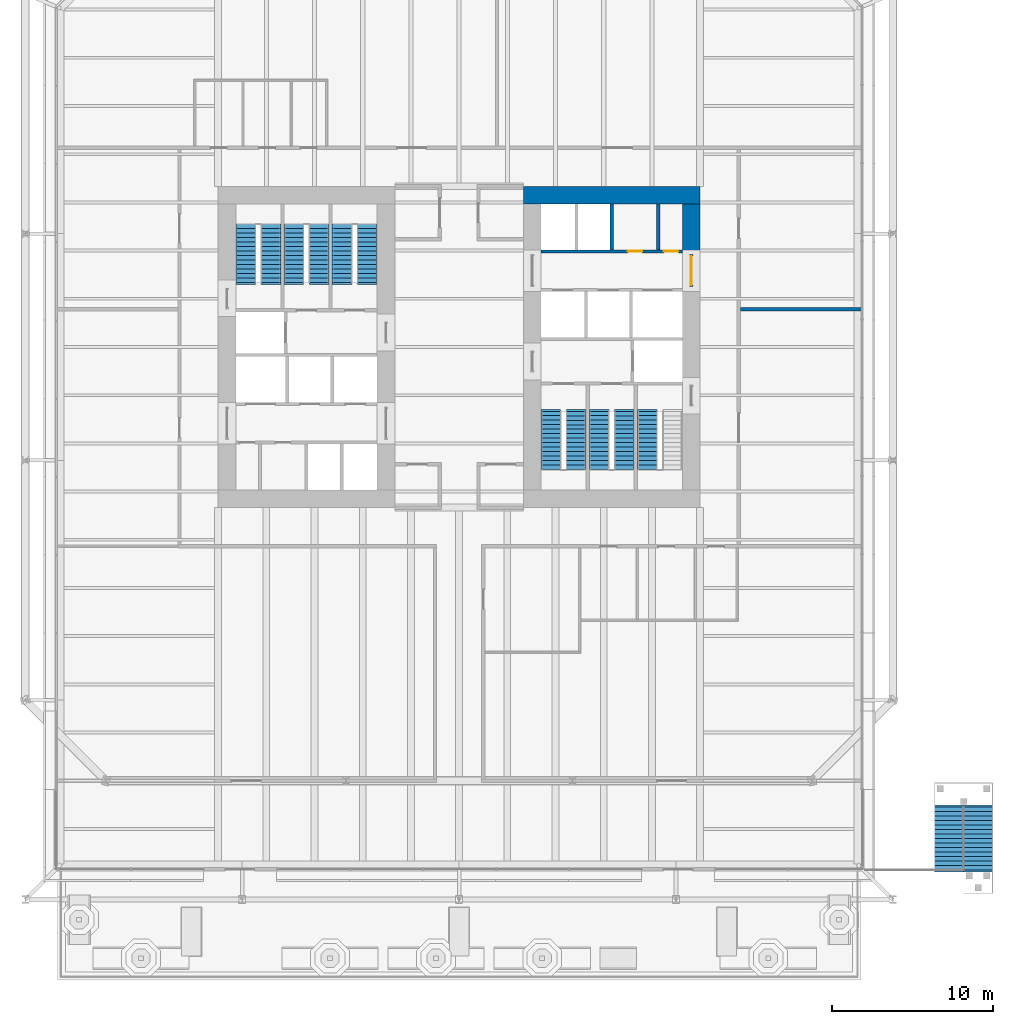
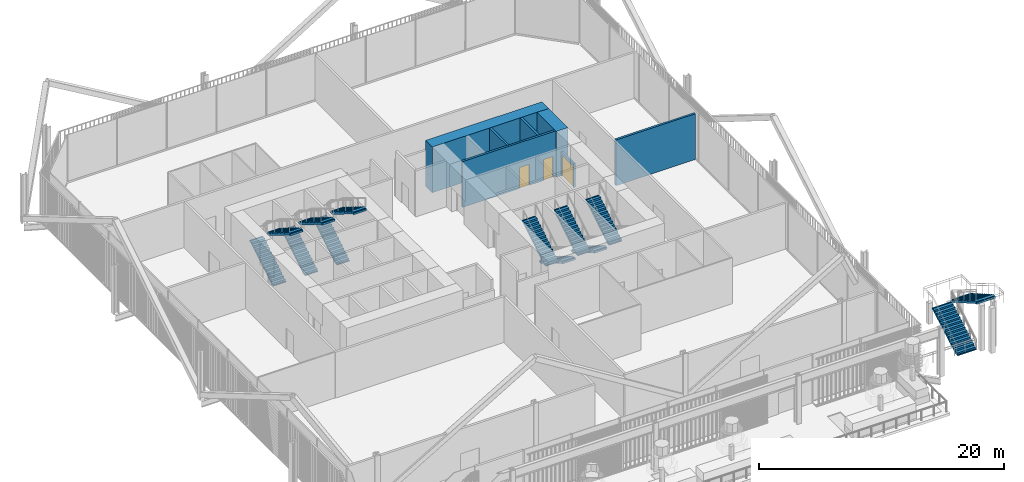
# One storey, part 22 of 26: 13 stair flights, 7 walls, 3 doors, 3 openings, 7 elements without a shape of their own.
"""IFC4 building model written with IfcOpenShell, lengths in metres."""

from ifc_helpers import new_model, si_unit, direction, frame, frame_2d, origin, place, context, subcontext, project, spatial, polyline, rectangle, outline, extrude, material, layer, layer_set, type_object, element, fill, aggregate, save


model = new_model("IFC4")

# Units and contexts
model_context = context("Model", 3, precision=1e-05, world=origin(), true_north=direction((0.0, 1.0)))
body_context = subcontext(model_context, "Body", "Model", "MODEL_VIEW")
ifc_project = project(units=[si_unit("LENGTHUNIT", "METRE"), si_unit("AREAUNIT", "SQUARE_METRE"), si_unit("VOLUMEUNIT", "CUBIC_METRE"), si_unit("PLANEANGLEUNIT", "RADIAN"), si_unit("MASSUNIT", "GRAM", prefix="KILO")], contexts=[model_context])

# Site, building, storey
site_placement = place(None, origin())
site = spatial("IfcSite", under=ifc_project, at=site_placement, CompositionType="ELEMENT")
building_placement = place(site_placement, origin())
building = spatial("IfcBuilding", under=site, at=building_placement, Name="Millrace Tower", CompositionType="ELEMENT")
storey_placement = place(building_placement, frame((0.0, 0.0, 11.300048828125)))
storey = spatial("IfcBuildingStorey", under=building, at=storey_placement, Name="L03", CompositionType="ELEMENT", Elevation=11.300048828125)

# Walls
ifc_material_1 = material(Name="Concrete C80", Category="concrete")
ifc_layer_1 = layer(ifc_material_1, 1.10009765625)
ifc_layer_set_1 = layer_set([ifc_layer_1], Name="Concrete C80")
wall_type_1 = type_object("IfcWallType", Name="Core wall 1100 Concrete C80", PredefinedType="SHEAR", material=ifc_layer_set_1)
wall_1_placement = place(storey_placement, frame((15.0, 9.449951171875, 0.0), z_axis=(0.0, 0.0, 1.0), x_axis=(-1.0, 0.0, 0.0)))
element("IfcWall", 1, at=wall_1_placement, inside=storey, type_object=wall_type_1, Name="Core wall E L03", PredefinedType="SHEAR", context=body_context, shape_type="SweptSolid", body=[
    extrude(rectangle(XDim=11.0, YDim=1.10009765625, at=frame_2d((5.5, 0.0))), origin(), (0.0, 0.0, 1.0), 4.574951171875),
])
wall_2_placement = place(storey_placement, frame((14.449951171875, 8.89990234375, 0.0), z_axis=(0.0, 0.0, 1.0), x_axis=(0.0, -1.0, 0.0)))
element("IfcWall", 2, at=wall_2_placement, inside=storey, type_object=wall_type_1, Name="Core wall E L03", PredefinedType="SHEAR", context=body_context, shape_type="SweptSolid", body=[
    extrude(rectangle(XDim=3.14990234375, YDim=1.10009765625, at=frame_2d((1.574951171875, 0.0))), origin(), (0.0, 0.0, 1.0), 4.574951171875),
])
ifc_material_2 = material(Name="Masonry partition, fire-rated", Category="masonry")
ifc_layer_2 = layer(ifc_material_2, 0.199951171875)
ifc_layer_set_2 = layer_set([ifc_layer_2], Name="Masonry partition, fire-rated")
wall_type_2 = type_object("IfcWallType", Name="Corridor wall 200", PredefinedType="PARTITIONING", material=ifc_layer_set_2)
wall_3_placement = place(storey_placement, frame((17.5, 2.35009765625, 0.0), z_axis=(0.0, 0.0, 1.0), x_axis=(1.0, 0.0, 0.0)))
element("IfcWall", 3, at=wall_3_placement, inside=storey, type_object=wall_type_2, Name="Corridor wall L03", PredefinedType="PARTITIONING", context=body_context, shape_type="SweptSolid", body=[
    extrude(rectangle(XDim=7.530029296875, YDim=0.199951171875, at=frame_2d((3.76513671875, 0.0))), origin(), (0.0, 0.0, 1.0), 4.574951171875),
])

# Wall, openings, doors
ifc_material_3 = material(Name="Masonry partition, fire-rated", Category="masonry")
ifc_layer_3 = layer(ifc_material_3, 0.199951171875)
ifc_layer_set_3 = layer_set([ifc_layer_3], Name="Masonry partition, fire-rated")
wall_type_3 = type_object("IfcWallType", Name="Lift shaft wall 200", PredefinedType="PARTITIONING", material=ifc_layer_set_3)
wall_4_placement = place(storey_placement, frame((13.89990234375, 5.949951171875, 0.0), z_axis=(0.0, 0.0, 1.0), x_axis=(-1.0, 0.0, 0.0)))
wall_4 = element("IfcWall", 4, at=wall_4_placement, inside=storey, type_object=wall_type_3, Name="Lift shaft wall E L03", PredefinedType="PARTITIONING", context=body_context, shape_type="SweptSolid", body=[
    extrude(rectangle(XDim=8.7998046875, YDim=0.199951171875, at=frame_2d((4.39990234375, 0.0))), origin(), (0.0, 0.0, 1.0), 4.574951171875),
])
opening_1_placement = place(wall_4_placement, frame((0.25244140625, 0.0, 0.0)))
opening_1 = element("IfcOpeningElement", 5, at=opening_1_placement, cuts=wall_4, Name="Opening 03-C013", PredefinedType="OPENING", context=body_context, shape_type="SweptSolid", body=[
    extrude(rectangle(XDim=0.89990234375, YDim=2.10009765625, at=frame_2d((0.449951171875, 1.050048828125))), frame((0.0, 0.10986328125, 0.0), z_axis=(0.0, -1.0, 0.0), x_axis=(1.0, 0.0, 0.0)), (0.0, 0.0, 1.0), 0.219970703125),
])
opening_2_placement = place(wall_4_placement, frame((2.50244140625, 0.0, 0.0)))
opening_2 = element("IfcOpeningElement", 6, at=opening_2_placement, cuts=wall_4, Name="Opening 03-C014", PredefinedType="OPENING", context=body_context, shape_type="SweptSolid", body=[
    extrude(rectangle(XDim=0.89990234375, YDim=2.10009765625, at=frame_2d((0.449951171875, 1.050048828125))), frame((0.0, 0.10986328125, 0.0), z_axis=(0.0, -1.0, 0.0), x_axis=(1.0, 0.0, 0.0)), (0.0, 0.0, 1.0), 0.219970703125),
])
ifc_material_4 = material(Name="Steel door, fire-rated", Category="steel")
door_type_1 = type_object("IfcDoorType", Name="Service room door 900 x 2100", OperationType="SINGLE_SWING_LEFT", PredefinedType="DOOR", material=ifc_material_4)
door_1_placement = place(opening_1_placement, frame((0.89990234375, 0.0, 0.0), z_axis=(0.0, 0.0, 1.0), x_axis=(-1.0, 0.0, 0.0)))
door_1 = element("IfcDoor", 7, at=door_1_placement, inside=storey, type_object=door_type_1, Name="Service room door 03-C013", OperationType="SINGLE_SWING_RIGHT", OverallHeight=2.10009765625, OverallWidth=0.89990234375, PredefinedType="DOOR", context=body_context, shape_type="SweptSolid", body=[
    extrude(rectangle(XDim=0.89990234375, YDim=2.10009765625, at=frame_2d((0.449951171875, 1.050048828125))), frame((0.0, 0.02490234375, 0.0), z_axis=(0.0, -1.0, 0.0), x_axis=(1.0, 0.0, 0.0)), (0.0, 0.0, 1.0), 0.050048828125),
])
fill(opening_1, door_1)
door_2_placement = place(opening_2_placement, frame((0.89990234375, 0.0, 0.0), z_axis=(0.0, 0.0, 1.0), x_axis=(-1.0, 0.0, 0.0)))
door_2 = element("IfcDoor", 8, at=door_2_placement, inside=storey, type_object=door_type_1, Name="Service room door 03-C014", OperationType="SINGLE_SWING_RIGHT", OverallHeight=2.10009765625, OverallWidth=0.89990234375, PredefinedType="DOOR", context=body_context, shape_type="SweptSolid", body=[
    extrude(rectangle(XDim=0.89990234375, YDim=2.10009765625, at=frame_2d((0.449951171875, 1.050048828125))), frame((0.0, 0.02490234375, 0.0), z_axis=(0.0, -1.0, 0.0), x_axis=(1.0, 0.0, 0.0)), (0.0, 0.0, 1.0), 0.050048828125),
])
fill(opening_2, door_2)

# Wall
wall_5_placement = place(storey_placement, frame((9.5, 8.89990234375, 0.0), z_axis=(0.0, 0.0, 1.0), x_axis=(0.0, -1.0, 0.0)))
element("IfcWall", 9, at=wall_5_placement, inside=storey, type_object=wall_type_3, Name="Lift shaft wall E L03", PredefinedType="PARTITIONING", context=body_context, shape_type="SweptSolid", body=[
    extrude(rectangle(XDim=2.849853515625, YDim=0.199951171875, at=frame_2d((1.4248046875, 0.0))), origin(), (0.0, 0.0, 1.0), 4.574951171875),
])

# Wall, opening, door
ifc_material_5 = material(Name="Masonry partition, fire-rated", Category="masonry")
ifc_layer_4 = layer(ifc_material_5, 0.199951171875)
ifc_layer_set_4 = layer_set([ifc_layer_4], Name="Masonry partition, fire-rated")
wall_type_4 = type_object("IfcWallType", Name="Lobby wall 200", PredefinedType="PARTITIONING", material=ifc_layer_set_4)
wall_6_placement = place(storey_placement, frame((14.449951171875, 5.75, 0.0), z_axis=(0.0, 0.0, 1.0), x_axis=(0.0, -1.0, 0.0)))
wall_6 = element("IfcWall", 10, at=wall_6_placement, inside=storey, type_object=wall_type_4, Name="Lobby wall E L03", PredefinedType="PARTITIONING", context=body_context, shape_type="SweptSolid", body=[
    extrude(rectangle(XDim=2.0, YDim=0.199951171875, at=frame_2d((1.0, 0.0))), origin(), (0.0, 0.0, 1.0), 2.39990234375),
])
opening_3_placement = place(wall_6_placement, frame((0.10009765625, 0.0, 0.0)))
opening_3 = element("IfcOpeningElement", 11, at=opening_3_placement, cuts=wall_6, Name="Opening 03-C009", PredefinedType="OPENING", context=body_context, shape_type="SweptSolid", body=[
    extrude(rectangle(XDim=1.800048828125, YDim=2.10009765625, at=frame_2d((0.89990234375, 1.050048828125))), frame((0.0, 0.10986328125, 0.0), z_axis=(0.0, -1.0, 0.0), x_axis=(1.0, 0.0, 0.0)), (0.0, 0.0, 1.0), 0.219970703125),
])
ifc_material_6 = material(Name="Steel door, fire-rated", Category="steel")
door_type_2 = type_object("IfcDoorType", Name="Lobby door 1800 x 2100", OperationType="DOUBLE_DOOR_SINGLE_SWING", PredefinedType="DOOR", material=ifc_material_6)
door_3_placement = place(opening_3_placement, origin())
door_3 = element("IfcDoor", 12, at=door_3_placement, inside=storey, type_object=door_type_2, Name="Lobby door 03-C009", OperationType="DOUBLE_DOOR_SINGLE_SWING", OverallHeight=2.10009765625, OverallWidth=1.800048828125, PredefinedType="DOOR", context=body_context, shape_type="SweptSolid", body=[
    extrude(rectangle(XDim=1.800048828125, YDim=2.10009765625, at=frame_2d((0.89990234375, 1.050048828125))), frame((0.0, 0.02490234375, 0.0), z_axis=(0.0, -1.0, 0.0), x_axis=(1.0, 0.0, 0.0)), (0.0, 0.0, 1.0), 0.050048828125),
])
fill(opening_3, door_3)

# Wall
ifc_material_7 = material(Name="Masonry partition, fire-rated", Category="masonry")
ifc_layer_5 = layer(ifc_material_7, 0.199951171875)
ifc_layer_set_5 = layer_set([ifc_layer_5], Name="Masonry partition, fire-rated")
wall_type_5 = type_object("IfcWallType", Name="Room partition 200", PredefinedType="PARTITIONING", material=ifc_layer_set_5)
wall_7_placement = place(storey_placement, frame((12.39501953125, 8.89990234375, 0.0), z_axis=(0.0, 0.0, 1.0), x_axis=(0.0, -1.0, 0.0)))
element("IfcWall", 13, at=wall_7_placement, inside=storey, type_object=wall_type_5, Name="Room partition E L03", PredefinedType="PARTITIONING", context=body_context, shape_type="SweptSolid", body=[
    extrude(rectangle(XDim=2.849853515625, YDim=0.199951171875, at=frame_2d((1.4248046875, 0.0))), origin(), (0.0, 0.0, 1.0), 4.574951171875),
])

# Stair, stair flights
ifc_material_8 = material(Name="Concrete C35", Category="concrete")
stair_type_1 = type_object("IfcStairType", Name="Exit stair", PredefinedType="HALF_TURN_STAIR", material=ifc_material_8)
placement = place(storey_placement, origin())
stair_1 = element("IfcStair", 14, at=placement, inside=storey, type_object=stair_type_1, Name="Stair 1 W L03", PredefinedType="HALF_TURN_STAIR")
ifc_material_9 = material(Name="Concrete C35", Category="concrete")
stair_flight_type_1 = type_object("IfcStairFlightType", Name="Exit stair flight", PredefinedType="STRAIGHT", material=ifc_material_9)
stair_flight_1_placement = place(storey_placement, frame((-13.2900390625, 4.0, 0.0), z_axis=(0.0, 0.0, 1.0), x_axis=(0.0, 1.0, 0.0)))
stair_flight_1 = element("IfcStairFlight", 15, at=stair_flight_1_placement, type_object=stair_flight_type_1, Name="ST12 flight 1", NumberOfRisers=14, NumberOfTreads=13, PredefinedType="STRAIGHT", RiserHeight=0.171428571, TreadLength=0.28, context=body_context, shape_type="SweptSolid", body=[
    extrude(outline(polyline([(-0.1201171875, -0.0400390625), (-0.1201171875, 0.0), (0.0, 0.0), (0.0, 0.17138671875), (0.280029296875, 0.17138671875), (0.280029296875, 0.3427734375), (0.56005859375, 0.3427734375), (0.56005859375, 0.514404296875), (0.840087890625, 0.514404296875), (0.840087890625, 0.685791015625), (1.1201171875, 0.685791015625), (1.1201171875, 0.857177734375), (1.39990234375, 0.857177734375), (1.39990234375, 1.028564453125), (1.679931640625, 1.028564453125), (1.679931640625, 1.199951171875), (1.9599609375, 1.199951171875), (1.9599609375, 1.371337890625), (2.239990234375, 1.371337890625), (2.239990234375, 1.54296875), (2.52001953125, 1.54296875), (2.52001953125, 1.71435546875), (2.800048828125, 1.71435546875), (2.800048828125, 1.8857421875), (3.080078125, 1.8857421875), (3.080078125, 2.05712890625), (3.360107421875, 2.05712890625), (3.360107421875, 2.228515625), (3.639892578125, 2.228515625), (3.639892578125, 2.24853515625), (3.760009765625, 2.24853515625), (3.760009765625, 2.052734375), (3.639892578125, 2.052734375), (0.287109375, 0.0), (0.287109375, -0.0400390625), (-0.1201171875, -0.0400390625)])), frame((0.0, 0.60986328125, 0.0), z_axis=(0.0, -1.0, 0.0), x_axis=(1.0, 0.0, 0.0)), (0.0, 0.0, 1.0), 1.219970703125),
])
stair_flight_2_placement = place(storey_placement, frame((-11.7099609375, 7.639892578125, 2.39990234375), z_axis=(0.0, 0.0, 1.0), x_axis=(0.0, -1.0, 0.0)))
stair_flight_2 = element("IfcStairFlight", 16, at=stair_flight_2_placement, type_object=stair_flight_type_1, Name="ST12 flight 2", NumberOfRisers=14, NumberOfTreads=13, PredefinedType="STRAIGHT", RiserHeight=0.171428571, TreadLength=0.28, context=body_context, shape_type="SweptSolid", body=[
    extrude(outline(polyline([(-0.1201171875, -0.0400390625), (-0.1201171875, 0.0), (0.0, 0.0), (0.0, 0.17138671875), (0.280029296875, 0.17138671875), (0.280029296875, 0.3427734375), (0.56005859375, 0.3427734375), (0.56005859375, 0.514404296875), (0.840087890625, 0.514404296875), (0.840087890625, 0.685791015625), (1.1201171875, 0.685791015625), (1.1201171875, 0.857177734375), (1.39990234375, 0.857177734375), (1.39990234375, 1.028564453125), (1.679931640625, 1.028564453125), (1.679931640625, 1.199951171875), (1.9599609375, 1.199951171875), (1.9599609375, 1.371337890625), (2.239990234375, 1.371337890625), (2.239990234375, 1.54296875), (2.52001953125, 1.54296875), (2.52001953125, 1.71435546875), (2.800048828125, 1.71435546875), (2.800048828125, 1.8857421875), (3.080078125, 1.8857421875), (3.080078125, 2.05712890625), (3.360107421875, 2.05712890625), (3.360107421875, 2.228515625), (3.639892578125, 2.228515625), (3.639892578125, 2.24853515625), (3.760009765625, 2.24853515625), (3.760009765625, 2.052734375), (3.639892578125, 2.052734375), (0.287109375, 0.0), (0.287109375, -0.0400390625), (-0.1201171875, -0.0400390625)])), frame((0.0, 0.60986328125, 0.0), z_axis=(0.0, -1.0, 0.0), x_axis=(1.0, 0.0, 0.0)), (0.0, 0.0, 1.0), 1.219970703125),
])
aggregate(stair_1, [stair_flight_1, stair_flight_2])

stair_2 = element("IfcStair", 17, at=placement, inside=storey, type_object=stair_type_1, Name="Stair 2 W L03", PredefinedType="HALF_TURN_STAIR")
stair_flight_3_placement = place(storey_placement, frame((-10.2900390625, 4.0, 0.0), z_axis=(0.0, 0.0, 1.0), x_axis=(0.0, 1.0, 0.0)))
stair_flight_3 = element("IfcStairFlight", 18, at=stair_flight_3_placement, type_object=stair_flight_type_1, Name="ST12 flight 1", NumberOfRisers=14, NumberOfTreads=13, PredefinedType="STRAIGHT", RiserHeight=0.171428571, TreadLength=0.28, context=body_context, shape_type="SweptSolid", body=[
    extrude(outline(polyline([(-0.1201171875, -0.0400390625), (-0.1201171875, 0.0), (0.0, 0.0), (0.0, 0.17138671875), (0.280029296875, 0.17138671875), (0.280029296875, 0.3427734375), (0.56005859375, 0.3427734375), (0.56005859375, 0.514404296875), (0.840087890625, 0.514404296875), (0.840087890625, 0.685791015625), (1.1201171875, 0.685791015625), (1.1201171875, 0.857177734375), (1.39990234375, 0.857177734375), (1.39990234375, 1.028564453125), (1.679931640625, 1.028564453125), (1.679931640625, 1.199951171875), (1.9599609375, 1.199951171875), (1.9599609375, 1.371337890625), (2.239990234375, 1.371337890625), (2.239990234375, 1.54296875), (2.52001953125, 1.54296875), (2.52001953125, 1.71435546875), (2.800048828125, 1.71435546875), (2.800048828125, 1.8857421875), (3.080078125, 1.8857421875), (3.080078125, 2.05712890625), (3.360107421875, 2.05712890625), (3.360107421875, 2.228515625), (3.639892578125, 2.228515625), (3.639892578125, 2.24853515625), (3.760009765625, 2.24853515625), (3.760009765625, 2.052734375), (3.639892578125, 2.052734375), (0.287109375, 0.0), (0.287109375, -0.0400390625), (-0.1201171875, -0.0400390625)])), frame((0.0, 0.60986328125, 0.0), z_axis=(0.0, -1.0, 0.0), x_axis=(1.0, 0.0, 0.0)), (0.0, 0.0, 1.0), 1.219970703125),
])
stair_flight_4_placement = place(storey_placement, frame((-8.7099609375, 7.639892578125, 2.39990234375), z_axis=(0.0, 0.0, 1.0), x_axis=(0.0, -1.0, 0.0)))
stair_flight_4 = element("IfcStairFlight", 19, at=stair_flight_4_placement, type_object=stair_flight_type_1, Name="ST12 flight 2", NumberOfRisers=14, NumberOfTreads=13, PredefinedType="STRAIGHT", RiserHeight=0.171428571, TreadLength=0.28, context=body_context, shape_type="SweptSolid", body=[
    extrude(outline(polyline([(-0.1201171875, -0.0400390625), (-0.1201171875, 0.0), (0.0, 0.0), (0.0, 0.17138671875), (0.280029296875, 0.17138671875), (0.280029296875, 0.3427734375), (0.56005859375, 0.3427734375), (0.56005859375, 0.514404296875), (0.840087890625, 0.514404296875), (0.840087890625, 0.685791015625), (1.1201171875, 0.685791015625), (1.1201171875, 0.857177734375), (1.39990234375, 0.857177734375), (1.39990234375, 1.028564453125), (1.679931640625, 1.028564453125), (1.679931640625, 1.199951171875), (1.9599609375, 1.199951171875), (1.9599609375, 1.371337890625), (2.239990234375, 1.371337890625), (2.239990234375, 1.54296875), (2.52001953125, 1.54296875), (2.52001953125, 1.71435546875), (2.800048828125, 1.71435546875), (2.800048828125, 1.8857421875), (3.080078125, 1.8857421875), (3.080078125, 2.05712890625), (3.360107421875, 2.05712890625), (3.360107421875, 2.228515625), (3.639892578125, 2.228515625), (3.639892578125, 2.24853515625), (3.760009765625, 2.24853515625), (3.760009765625, 2.052734375), (3.639892578125, 2.052734375), (0.287109375, 0.0), (0.287109375, -0.0400390625), (-0.1201171875, -0.0400390625)])), frame((0.0, 0.60986328125, 0.0), z_axis=(0.0, -1.0, 0.0), x_axis=(1.0, 0.0, 0.0)), (0.0, 0.0, 1.0), 1.219970703125),
])
aggregate(stair_2, [stair_flight_3, stair_flight_4])

stair_3 = element("IfcStair", 20, at=placement, inside=storey, type_object=stair_type_1, Name="Stair 3 W L03", PredefinedType="HALF_TURN_STAIR")
stair_flight_5_placement = place(storey_placement, frame((-7.2900390625, 4.0, 0.0), z_axis=(0.0, 0.0, 1.0), x_axis=(0.0, 1.0, 0.0)))
stair_flight_5 = element("IfcStairFlight", 21, at=stair_flight_5_placement, type_object=stair_flight_type_1, Name="ST12 flight 1", NumberOfRisers=14, NumberOfTreads=13, PredefinedType="STRAIGHT", RiserHeight=0.171428571, TreadLength=0.28, context=body_context, shape_type="SweptSolid", body=[
    extrude(outline(polyline([(-0.1201171875, -0.0400390625), (-0.1201171875, 0.0), (0.0, 0.0), (0.0, 0.17138671875), (0.280029296875, 0.17138671875), (0.280029296875, 0.3427734375), (0.56005859375, 0.3427734375), (0.56005859375, 0.514404296875), (0.840087890625, 0.514404296875), (0.840087890625, 0.685791015625), (1.1201171875, 0.685791015625), (1.1201171875, 0.857177734375), (1.39990234375, 0.857177734375), (1.39990234375, 1.028564453125), (1.679931640625, 1.028564453125), (1.679931640625, 1.199951171875), (1.9599609375, 1.199951171875), (1.9599609375, 1.371337890625), (2.239990234375, 1.371337890625), (2.239990234375, 1.54296875), (2.52001953125, 1.54296875), (2.52001953125, 1.71435546875), (2.800048828125, 1.71435546875), (2.800048828125, 1.8857421875), (3.080078125, 1.8857421875), (3.080078125, 2.05712890625), (3.360107421875, 2.05712890625), (3.360107421875, 2.228515625), (3.639892578125, 2.228515625), (3.639892578125, 2.24853515625), (3.760009765625, 2.24853515625), (3.760009765625, 2.052734375), (3.639892578125, 2.052734375), (0.287109375, 0.0), (0.287109375, -0.0400390625), (-0.1201171875, -0.0400390625)])), frame((0.0, 0.60986328125, 0.0), z_axis=(0.0, -1.0, 0.0), x_axis=(1.0, 0.0, 0.0)), (0.0, 0.0, 1.0), 1.219970703125),
])
stair_flight_6_placement = place(storey_placement, frame((-5.7099609375, 7.639892578125, 2.39990234375), z_axis=(0.0, 0.0, 1.0), x_axis=(0.0, -1.0, 0.0)))
stair_flight_6 = element("IfcStairFlight", 22, at=stair_flight_6_placement, type_object=stair_flight_type_1, Name="ST12 flight 2", NumberOfRisers=14, NumberOfTreads=13, PredefinedType="STRAIGHT", RiserHeight=0.171428571, TreadLength=0.28, context=body_context, shape_type="SweptSolid", body=[
    extrude(outline(polyline([(-0.1201171875, -0.0400390625), (-0.1201171875, 0.0), (0.0, 0.0), (0.0, 0.17138671875), (0.280029296875, 0.17138671875), (0.280029296875, 0.3427734375), (0.56005859375, 0.3427734375), (0.56005859375, 0.514404296875), (0.840087890625, 0.514404296875), (0.840087890625, 0.685791015625), (1.1201171875, 0.685791015625), (1.1201171875, 0.857177734375), (1.39990234375, 0.857177734375), (1.39990234375, 1.028564453125), (1.679931640625, 1.028564453125), (1.679931640625, 1.199951171875), (1.9599609375, 1.199951171875), (1.9599609375, 1.371337890625), (2.239990234375, 1.371337890625), (2.239990234375, 1.54296875), (2.52001953125, 1.54296875), (2.52001953125, 1.71435546875), (2.800048828125, 1.71435546875), (2.800048828125, 1.8857421875), (3.080078125, 1.8857421875), (3.080078125, 2.05712890625), (3.360107421875, 2.05712890625), (3.360107421875, 2.228515625), (3.639892578125, 2.228515625), (3.639892578125, 2.24853515625), (3.760009765625, 2.24853515625), (3.760009765625, 2.052734375), (3.639892578125, 2.052734375), (0.287109375, 0.0), (0.287109375, -0.0400390625), (-0.1201171875, -0.0400390625)])), frame((0.0, 0.60986328125, 0.0), z_axis=(0.0, -1.0, 0.0), x_axis=(1.0, 0.0, 0.0)), (0.0, 0.0, 1.0), 1.219970703125),
])
aggregate(stair_3, [stair_flight_5, stair_flight_6])

# Stair, stair flight
stair_4 = element("IfcStair", 23, at=placement, inside=storey, type_object=stair_type_1, Name="Stair 1 E L03", PredefinedType="HALF_TURN_STAIR")
stair_flight_7_placement = place(storey_placement, frame((11.7099609375, -7.639892578125, 2.39990234375), z_axis=(0.0, 0.0, 1.0), x_axis=(0.0, 1.0, 0.0)))
stair_flight_7 = element("IfcStairFlight", 24, at=stair_flight_7_placement, type_object=stair_flight_type_1, Name="ST12 flight 2", NumberOfRisers=14, NumberOfTreads=13, PredefinedType="STRAIGHT", RiserHeight=0.171428571, TreadLength=0.28, context=body_context, shape_type="SweptSolid", body=[
    extrude(outline(polyline([(-0.1201171875, -0.0400390625), (-0.1201171875, 0.0), (0.0, 0.0), (0.0, 0.17138671875), (0.280029296875, 0.17138671875), (0.280029296875, 0.3427734375), (0.56005859375, 0.3427734375), (0.56005859375, 0.514404296875), (0.840087890625, 0.514404296875), (0.840087890625, 0.685791015625), (1.1201171875, 0.685791015625), (1.1201171875, 0.857177734375), (1.39990234375, 0.857177734375), (1.39990234375, 1.028564453125), (1.679931640625, 1.028564453125), (1.679931640625, 1.199951171875), (1.9599609375, 1.199951171875), (1.9599609375, 1.371337890625), (2.239990234375, 1.371337890625), (2.239990234375, 1.54296875), (2.52001953125, 1.54296875), (2.52001953125, 1.71435546875), (2.800048828125, 1.71435546875), (2.800048828125, 1.8857421875), (3.080078125, 1.8857421875), (3.080078125, 2.05712890625), (3.360107421875, 2.05712890625), (3.360107421875, 2.228515625), (3.639892578125, 2.228515625), (3.639892578125, 2.24853515625), (3.760009765625, 2.24853515625), (3.760009765625, 2.052734375), (3.639892578125, 2.052734375), (0.287109375, 0.0), (0.287109375, -0.0400390625), (-0.1201171875, -0.0400390625)])), frame((0.0, 0.60986328125, 0.0), z_axis=(0.0, -1.0, 0.0), x_axis=(1.0, 0.0, 0.0)), (0.0, 0.0, 1.0), 1.219970703125),
])
aggregate(stair_4, [stair_flight_7])

# Stair, stair flights
stair_5 = element("IfcStair", 25, at=placement, inside=storey, type_object=stair_type_1, Name="Stair 2 E L03", PredefinedType="HALF_TURN_STAIR")
stair_flight_8_placement = place(storey_placement, frame((10.2900390625, -4.0, 0.0), z_axis=(0.0, 0.0, 1.0), x_axis=(0.0, -1.0, 0.0)))
stair_flight_8 = element("IfcStairFlight", 26, at=stair_flight_8_placement, type_object=stair_flight_type_1, Name="ST12 flight 1", NumberOfRisers=14, NumberOfTreads=13, PredefinedType="STRAIGHT", RiserHeight=0.171428571, TreadLength=0.28, context=body_context, shape_type="SweptSolid", body=[
    extrude(outline(polyline([(-0.1201171875, -0.0400390625), (-0.1201171875, 0.0), (0.0, 0.0), (0.0, 0.17138671875), (0.280029296875, 0.17138671875), (0.280029296875, 0.3427734375), (0.56005859375, 0.3427734375), (0.56005859375, 0.514404296875), (0.840087890625, 0.514404296875), (0.840087890625, 0.685791015625), (1.1201171875, 0.685791015625), (1.1201171875, 0.857177734375), (1.39990234375, 0.857177734375), (1.39990234375, 1.028564453125), (1.679931640625, 1.028564453125), (1.679931640625, 1.199951171875), (1.9599609375, 1.199951171875), (1.9599609375, 1.371337890625), (2.239990234375, 1.371337890625), (2.239990234375, 1.54296875), (2.52001953125, 1.54296875), (2.52001953125, 1.71435546875), (2.800048828125, 1.71435546875), (2.800048828125, 1.8857421875), (3.080078125, 1.8857421875), (3.080078125, 2.05712890625), (3.360107421875, 2.05712890625), (3.360107421875, 2.228515625), (3.639892578125, 2.228515625), (3.639892578125, 2.24853515625), (3.760009765625, 2.24853515625), (3.760009765625, 2.052734375), (3.639892578125, 2.052734375), (0.287109375, 0.0), (0.287109375, -0.0400390625), (-0.1201171875, -0.0400390625)])), frame((0.0, 0.60986328125, 0.0), z_axis=(0.0, -1.0, 0.0), x_axis=(1.0, 0.0, 0.0)), (0.0, 0.0, 1.0), 1.219970703125),
])
stair_flight_9_placement = place(storey_placement, frame((8.7099609375, -7.639892578125, 2.39990234375), z_axis=(0.0, 0.0, 1.0), x_axis=(0.0, 1.0, 0.0)))
stair_flight_9 = element("IfcStairFlight", 27, at=stair_flight_9_placement, type_object=stair_flight_type_1, Name="ST12 flight 2", NumberOfRisers=14, NumberOfTreads=13, PredefinedType="STRAIGHT", RiserHeight=0.171428571, TreadLength=0.28, context=body_context, shape_type="SweptSolid", body=[
    extrude(outline(polyline([(-0.1201171875, -0.0400390625), (-0.1201171875, 0.0), (0.0, 0.0), (0.0, 0.17138671875), (0.280029296875, 0.17138671875), (0.280029296875, 0.3427734375), (0.56005859375, 0.3427734375), (0.56005859375, 0.514404296875), (0.840087890625, 0.514404296875), (0.840087890625, 0.685791015625), (1.1201171875, 0.685791015625), (1.1201171875, 0.857177734375), (1.39990234375, 0.857177734375), (1.39990234375, 1.028564453125), (1.679931640625, 1.028564453125), (1.679931640625, 1.199951171875), (1.9599609375, 1.199951171875), (1.9599609375, 1.371337890625), (2.239990234375, 1.371337890625), (2.239990234375, 1.54296875), (2.52001953125, 1.54296875), (2.52001953125, 1.71435546875), (2.800048828125, 1.71435546875), (2.800048828125, 1.8857421875), (3.080078125, 1.8857421875), (3.080078125, 2.05712890625), (3.360107421875, 2.05712890625), (3.360107421875, 2.228515625), (3.639892578125, 2.228515625), (3.639892578125, 2.24853515625), (3.760009765625, 2.24853515625), (3.760009765625, 2.052734375), (3.639892578125, 2.052734375), (0.287109375, 0.0), (0.287109375, -0.0400390625), (-0.1201171875, -0.0400390625)])), frame((0.0, 0.60986328125, 0.0), z_axis=(0.0, -1.0, 0.0), x_axis=(1.0, 0.0, 0.0)), (0.0, 0.0, 1.0), 1.219970703125),
])
aggregate(stair_5, [stair_flight_8, stair_flight_9])

stair_6 = element("IfcStair", 28, at=placement, inside=storey, type_object=stair_type_1, Name="Stair 3 E L03", PredefinedType="HALF_TURN_STAIR")
stair_flight_10_placement = place(storey_placement, frame((7.2900390625, -4.0, 0.0), z_axis=(0.0, 0.0, 1.0), x_axis=(0.0, -1.0, 0.0)))
stair_flight_10 = element("IfcStairFlight", 29, at=stair_flight_10_placement, type_object=stair_flight_type_1, Name="ST12 flight 1", NumberOfRisers=14, NumberOfTreads=13, PredefinedType="STRAIGHT", RiserHeight=0.171428571, TreadLength=0.28, context=body_context, shape_type="SweptSolid", body=[
    extrude(outline(polyline([(-0.1201171875, -0.0400390625), (-0.1201171875, 0.0), (0.0, 0.0), (0.0, 0.17138671875), (0.280029296875, 0.17138671875), (0.280029296875, 0.3427734375), (0.56005859375, 0.3427734375), (0.56005859375, 0.514404296875), (0.840087890625, 0.514404296875), (0.840087890625, 0.685791015625), (1.1201171875, 0.685791015625), (1.1201171875, 0.857177734375), (1.39990234375, 0.857177734375), (1.39990234375, 1.028564453125), (1.679931640625, 1.028564453125), (1.679931640625, 1.199951171875), (1.9599609375, 1.199951171875), (1.9599609375, 1.371337890625), (2.239990234375, 1.371337890625), (2.239990234375, 1.54296875), (2.52001953125, 1.54296875), (2.52001953125, 1.71435546875), (2.800048828125, 1.71435546875), (2.800048828125, 1.8857421875), (3.080078125, 1.8857421875), (3.080078125, 2.05712890625), (3.360107421875, 2.05712890625), (3.360107421875, 2.228515625), (3.639892578125, 2.228515625), (3.639892578125, 2.24853515625), (3.760009765625, 2.24853515625), (3.760009765625, 2.052734375), (3.639892578125, 2.052734375), (0.287109375, 0.0), (0.287109375, -0.0400390625), (-0.1201171875, -0.0400390625)])), frame((0.0, 0.60986328125, 0.0), z_axis=(0.0, -1.0, 0.0), x_axis=(1.0, 0.0, 0.0)), (0.0, 0.0, 1.0), 1.219970703125),
])
stair_flight_11_placement = place(storey_placement, frame((5.7099609375, -7.639892578125, 2.39990234375), z_axis=(0.0, 0.0, 1.0), x_axis=(0.0, 1.0, 0.0)))
stair_flight_11 = element("IfcStairFlight", 30, at=stair_flight_11_placement, type_object=stair_flight_type_1, Name="ST12 flight 2", NumberOfRisers=14, NumberOfTreads=13, PredefinedType="STRAIGHT", RiserHeight=0.171428571, TreadLength=0.28, context=body_context, shape_type="SweptSolid", body=[
    extrude(outline(polyline([(-0.1201171875, -0.0400390625), (-0.1201171875, 0.0), (0.0, 0.0), (0.0, 0.17138671875), (0.280029296875, 0.17138671875), (0.280029296875, 0.3427734375), (0.56005859375, 0.3427734375), (0.56005859375, 0.514404296875), (0.840087890625, 0.514404296875), (0.840087890625, 0.685791015625), (1.1201171875, 0.685791015625), (1.1201171875, 0.857177734375), (1.39990234375, 0.857177734375), (1.39990234375, 1.028564453125), (1.679931640625, 1.028564453125), (1.679931640625, 1.199951171875), (1.9599609375, 1.199951171875), (1.9599609375, 1.371337890625), (2.239990234375, 1.371337890625), (2.239990234375, 1.54296875), (2.52001953125, 1.54296875), (2.52001953125, 1.71435546875), (2.800048828125, 1.71435546875), (2.800048828125, 1.8857421875), (3.080078125, 1.8857421875), (3.080078125, 2.05712890625), (3.360107421875, 2.05712890625), (3.360107421875, 2.228515625), (3.639892578125, 2.228515625), (3.639892578125, 2.24853515625), (3.760009765625, 2.24853515625), (3.760009765625, 2.052734375), (3.639892578125, 2.052734375), (0.287109375, 0.0), (0.287109375, -0.0400390625), (-0.1201171875, -0.0400390625)])), frame((0.0, 0.60986328125, 0.0), z_axis=(0.0, -1.0, 0.0), x_axis=(1.0, 0.0, 0.0)), (0.0, 0.0, 1.0), 1.219970703125),
])
aggregate(stair_6, [stair_flight_10, stair_flight_11])

ifc_material_10 = material(Name="Concrete C40", Category="concrete")
stair_type_2 = type_object("IfcStairType", Name="Public stair, half-turn", PredefinedType="HALF_TURN_STAIR", material=ifc_material_10)
stair_7 = element("IfcStair", 31, at=placement, inside=storey, type_object=stair_type_2, Name="Public stair PS-C", PredefinedType="HALF_TURN_STAIR")
ifc_material_11 = material(Name="Concrete C40", Category="concrete")
stair_flight_type_2 = type_object("IfcStairFlightType", Name="Public stair flight", PredefinedType="STRAIGHT", material=ifc_material_11)
stair_flight_12_placement = place(storey_placement, frame((30.5, -32.56005859375, 0.0), z_axis=(0.0, 0.0, 1.0), x_axis=(0.0, 1.0, 0.0)))
stair_flight_12 = element("IfcStairFlight", 32, at=stair_flight_12_placement, type_object=stair_flight_type_2, Name="PS3 flight 1", NumberOfRisers=15, NumberOfTreads=14, PredefinedType="STRAIGHT", RiserHeight=0.16, TreadLength=0.28, context=body_context, shape_type="SweptSolid", body=[
    extrude(outline(polyline([(-0.1201171875, -0.0400390625), (-0.1201171875, 0.0), (0.0, 0.0), (0.0, 0.159912109375), (0.280029296875, 0.159912109375), (0.280029296875, 0.320068359375), (0.56005859375, 0.320068359375), (0.56005859375, 0.47998046875), (0.840087890625, 0.47998046875), (0.840087890625, 0.639892578125), (1.1201171875, 0.639892578125), (1.1201171875, 0.800048828125), (1.39990234375, 0.800048828125), (1.39990234375, 0.9599609375), (1.679931640625, 0.9599609375), (1.679931640625, 1.1201171875), (1.9599609375, 1.1201171875), (1.9599609375, 1.280029296875), (2.239990234375, 1.280029296875), (2.239990234375, 1.43994140625), (2.52001953125, 1.43994140625), (2.52001953125, 1.60009765625), (2.800048828125, 1.60009765625), (2.800048828125, 1.760009765625), (3.080078125, 1.760009765625), (3.080078125, 1.919921875), (3.360107421875, 1.919921875), (3.360107421875, 2.080078125), (3.639892578125, 2.080078125), (3.639892578125, 2.239990234375), (3.919921875, 2.239990234375), (3.919921875, 2.260009765625), (4.0400390625, 2.260009765625), (4.0400390625, 2.0673828125), (3.919921875, 2.0673828125), (0.30224609375, 0.0), (0.30224609375, -0.0400390625), (-0.1201171875, -0.0400390625)])), frame((0.0, 0.89990234375, 0.0), z_axis=(0.0, -1.0, 0.0), x_axis=(1.0, 0.0, 0.0)), (0.0, 0.0, 1.0), 1.800048828125),
])
stair_flight_13_placement = place(storey_placement, frame((32.300048828125, -28.639892578125, 2.39990234375), z_axis=(0.0, 0.0, 1.0), x_axis=(0.0, -1.0, 0.0)))
stair_flight_13 = element("IfcStairFlight", 33, at=stair_flight_13_placement, type_object=stair_flight_type_2, Name="PS3 flight 2", NumberOfRisers=15, NumberOfTreads=14, PredefinedType="STRAIGHT", RiserHeight=0.16, TreadLength=0.28, context=body_context, shape_type="SweptSolid", body=[
    extrude(outline(polyline([(-0.1201171875, -0.0400390625), (-0.1201171875, 0.0), (0.0, 0.0), (0.0, 0.159912109375), (0.280029296875, 0.159912109375), (0.280029296875, 0.320068359375), (0.56005859375, 0.320068359375), (0.56005859375, 0.47998046875), (0.840087890625, 0.47998046875), (0.840087890625, 0.639892578125), (1.1201171875, 0.639892578125), (1.1201171875, 0.800048828125), (1.39990234375, 0.800048828125), (1.39990234375, 0.9599609375), (1.679931640625, 0.9599609375), (1.679931640625, 1.1201171875), (1.9599609375, 1.1201171875), (1.9599609375, 1.280029296875), (2.239990234375, 1.280029296875), (2.239990234375, 1.43994140625), (2.52001953125, 1.43994140625), (2.52001953125, 1.60009765625), (2.800048828125, 1.60009765625), (2.800048828125, 1.760009765625), (3.080078125, 1.760009765625), (3.080078125, 1.919921875), (3.360107421875, 1.919921875), (3.360107421875, 2.080078125), (3.639892578125, 2.080078125), (3.639892578125, 2.239990234375), (3.919921875, 2.239990234375), (3.919921875, 2.260009765625), (4.0400390625, 2.260009765625), (4.0400390625, 2.0673828125), (3.919921875, 2.0673828125), (0.30224609375, 0.0), (0.30224609375, -0.0400390625), (-0.1201171875, -0.0400390625)])), frame((0.0, 0.89990234375, 0.0), z_axis=(0.0, -1.0, 0.0), x_axis=(1.0, 0.0, 0.0)), (0.0, 0.0, 1.0), 1.800048828125),
])
aggregate(stair_7, [stair_flight_12, stair_flight_13])

save(model, "model.ifc")
